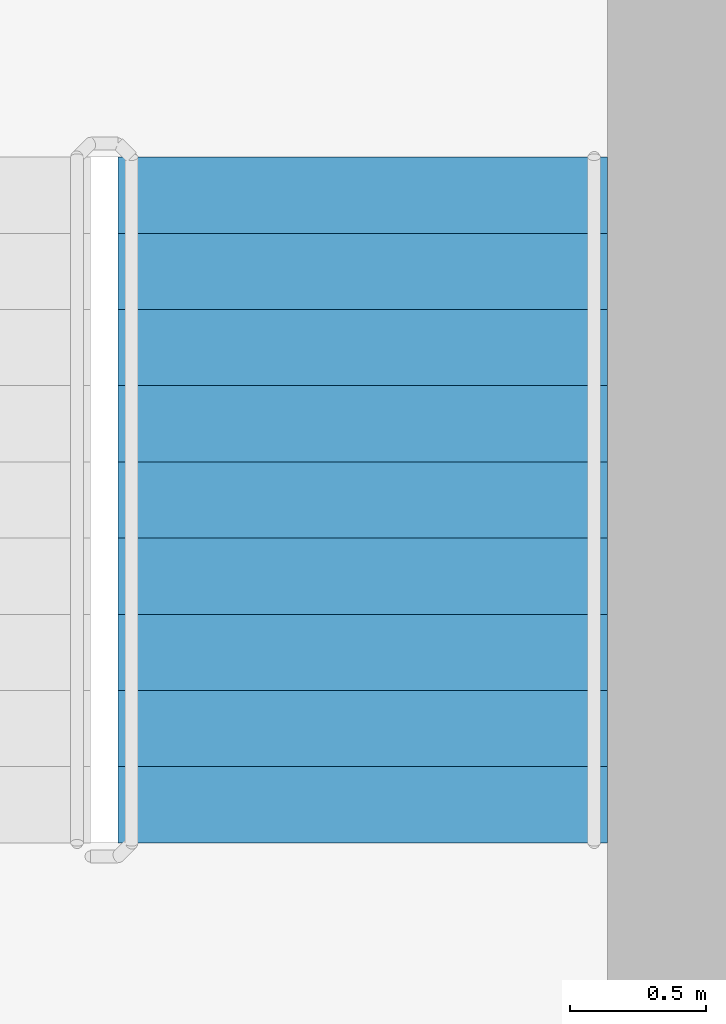
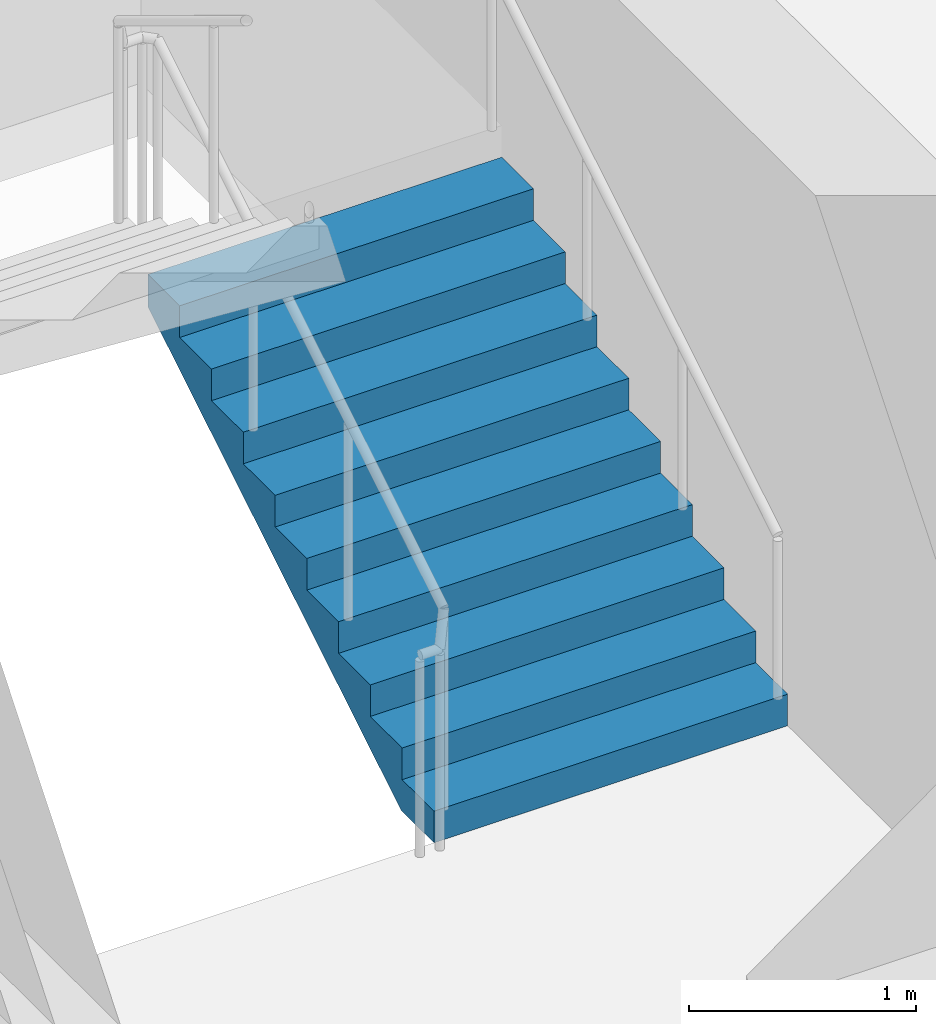
# One storey, part 11 of 14: 1 stair flight, 1 element without a shape of its own.
"""IFC4 building model written with IfcOpenShell, lengths in metres."""

from ifc_helpers import new_model, si_unit, direction, frame, origin, place, context, subcontext, project, spatial, triangles, source, transform, mapped, material, type_object, element, aggregate, save


model = new_model("IFC4")

# Units and contexts
model_context = context("Model", 3, precision=1e-05, world=origin(), true_north=direction((0.0, 1.0)))
body_context = subcontext(model_context, "Body", "Model", "MODEL_VIEW")
ifc_project = project(units=[si_unit("LENGTHUNIT", "METRE"), si_unit("AREAUNIT", "SQUARE_METRE"), si_unit("VOLUMEUNIT", "CUBIC_METRE"), si_unit("PLANEANGLEUNIT", "RADIAN"), si_unit("MASSUNIT", "GRAM", prefix="KILO")], contexts=[model_context])

# Site, building, storey
site_placement = place(None, origin())
site = spatial("IfcSite", under=ifc_project, at=site_placement, CompositionType="ELEMENT")
building_placement = place(site_placement, origin())
building = spatial("IfcBuilding", under=site, at=building_placement, Name="Kilnfold Tower and Market Hall", CompositionType="ELEMENT")
storey_placement = place(building_placement, frame((0.0, 0.0, 315.39990234375)))
storey = spatial("IfcBuildingStorey", under=building, at=storey_placement, Name="L79", CompositionType="ELEMENT", Elevation=315.39990234375)

# Stair, stair flight
ifc_material_1 = material(Name="Concrete C40/50", Category="concrete")
stair_type = type_object("IfcStairType", Name="CORE STAIR 1800", PredefinedType="HALF_TURN_STAIR", material=ifc_material_1)
stair_placement = place(storey_placement, origin())
stair = element("IfcStair", 1, at=stair_placement, inside=storey, type_object=stair_type, Name="L79 ST2", PredefinedType="HALF_TURN_STAIR")
ifc_material_2 = material(Name="Concrete C40/50", Category="concrete")
stair_flight_type = type_object("IfcStairFlightType", Name="CORE STAIR FLIGHT 1800", PredefinedType="STRAIGHT", material=ifc_material_2)
shared_shape = source(origin(), body_context, "Body", "Tessellation", [
    triangles([(0.0, 0.89990234375, 0.0), (0.0, 0.78759765625, 0.0), (0.0, 0.675048828125, 0.0), (0.0, 0.5625, 0.0), (0.0, 0.449951171875, 0.0), (0.0, 0.33740234375, 0.0), (0.0, 0.22509765625, 0.0), (0.0, 0.112548828125, 0.0), (0.0, 0.0, 0.0), (0.0, -0.112548828125, 0.0), (0.0, -0.22509765625, 0.0), (0.0, -0.33740234375, 0.0), (0.0, -0.449951171875, 0.0), (0.0, -0.5625, 0.0), (0.0, -0.675048828125, 0.0), (0.0, -0.78759765625, 0.0), (0.0, -0.89990234375, 0.0), (0.0, 0.89990234375, 0.169921875), (0.0, 0.78759765625, 0.169921875), (0.0, 0.675048828125, 0.169921875), (0.0, 0.5625, 0.169921875), (0.0, 0.449951171875, 0.169921875), (0.0, 0.33740234375, 0.169921875), (0.0, 0.22509765625, 0.169921875), (0.0, 0.112548828125, 0.169921875), (0.0, 0.0, 0.169921875), (0.0, -0.112548828125, 0.169921875), (0.0, -0.22509765625, 0.169921875), (0.0, -0.33740234375, 0.169921875), (0.0, -0.449951171875, 0.169921875), (0.0, -0.5625, 0.169921875), (0.0, -0.675048828125, 0.169921875), (0.0, -0.78759765625, 0.169921875), (0.0, -0.89990234375, 0.169921875), (0.280029296875, 0.89990234375, 0.169921875), (0.280029296875, 0.78759765625, 0.169921875), (0.280029296875, 0.675048828125, 0.169921875), (0.280029296875, 0.5625, 0.169921875), (0.280029296875, 0.449951171875, 0.169921875), (0.280029296875, 0.33740234375, 0.169921875), (0.280029296875, 0.22509765625, 0.169921875), (0.280029296875, 0.112548828125, 0.169921875), (0.280029296875, 0.0, 0.169921875), (0.280029296875, -0.112548828125, 0.169921875), (0.280029296875, -0.22509765625, 0.169921875), (0.280029296875, -0.33740234375, 0.169921875), (0.280029296875, -0.449951171875, 0.169921875), (0.280029296875, -0.5625, 0.169921875), (0.280029296875, -0.675048828125, 0.169921875), (0.280029296875, -0.78759765625, 0.169921875), (0.280029296875, -0.89990234375, 0.169921875), (0.280029296875, 0.89990234375, 0.340087890625), (0.280029296875, 0.78759765625, 0.340087890625), (0.280029296875, 0.675048828125, 0.340087890625), (0.280029296875, 0.5625, 0.340087890625), (0.280029296875, 0.449951171875, 0.340087890625), (0.280029296875, 0.33740234375, 0.340087890625), (0.280029296875, 0.22509765625, 0.340087890625), (0.280029296875, 0.112548828125, 0.340087890625), (0.280029296875, 0.0, 0.340087890625), (0.280029296875, -0.112548828125, 0.340087890625), (0.280029296875, -0.22509765625, 0.340087890625), (0.280029296875, -0.33740234375, 0.340087890625), (0.280029296875, -0.449951171875, 0.340087890625), (0.280029296875, -0.5625, 0.340087890625), (0.280029296875, -0.675048828125, 0.340087890625), (0.280029296875, -0.78759765625, 0.340087890625), (0.280029296875, -0.89990234375, 0.340087890625), (0.56005859375, 0.89990234375, 0.340087890625), (0.56005859375, 0.78759765625, 0.340087890625), (0.56005859375, 0.675048828125, 0.340087890625), (0.56005859375, 0.5625, 0.340087890625), (0.56005859375, 0.449951171875, 0.340087890625), (0.56005859375, 0.33740234375, 0.340087890625), (0.56005859375, 0.22509765625, 0.340087890625), (0.56005859375, 0.112548828125, 0.340087890625), (0.56005859375, 0.0, 0.340087890625), (0.56005859375, -0.112548828125, 0.340087890625), (0.56005859375, -0.22509765625, 0.340087890625), (0.56005859375, -0.33740234375, 0.340087890625), (0.56005859375, -0.449951171875, 0.340087890625), (0.56005859375, -0.5625, 0.340087890625), (0.56005859375, -0.675048828125, 0.340087890625), (0.56005859375, -0.78759765625, 0.340087890625), (0.56005859375, -0.89990234375, 0.340087890625), (0.56005859375, 0.89990234375, 0.510009765625), (0.56005859375, 0.78759765625, 0.510009765625), (0.56005859375, 0.675048828125, 0.510009765625), (0.56005859375, 0.5625, 0.510009765625), (0.56005859375, 0.449951171875, 0.510009765625), (0.56005859375, 0.33740234375, 0.510009765625), (0.56005859375, 0.22509765625, 0.510009765625), (0.56005859375, 0.112548828125, 0.510009765625), (0.56005859375, 0.0, 0.510009765625), (0.56005859375, -0.112548828125, 0.510009765625), (0.56005859375, -0.22509765625, 0.510009765625), (0.56005859375, -0.33740234375, 0.510009765625), (0.56005859375, -0.449951171875, 0.510009765625), (0.56005859375, -0.5625, 0.510009765625), (0.56005859375, -0.675048828125, 0.510009765625), (0.56005859375, -0.78759765625, 0.510009765625), (0.56005859375, -0.89990234375, 0.510009765625), (0.840087890625, 0.89990234375, 0.510009765625), (0.840087890625, 0.78759765625, 0.510009765625), (0.840087890625, 0.675048828125, 0.510009765625), (0.840087890625, 0.5625, 0.510009765625), (0.840087890625, 0.449951171875, 0.510009765625), (0.840087890625, 0.33740234375, 0.510009765625), (0.840087890625, 0.22509765625, 0.510009765625), (0.840087890625, 0.112548828125, 0.510009765625), (0.840087890625, 0.0, 0.510009765625), (0.840087890625, -0.112548828125, 0.510009765625), (0.840087890625, -0.22509765625, 0.510009765625), (0.840087890625, -0.33740234375, 0.510009765625), (0.840087890625, -0.449951171875, 0.510009765625), (0.840087890625, -0.5625, 0.510009765625), (0.840087890625, -0.675048828125, 0.510009765625), (0.840087890625, -0.78759765625, 0.510009765625), (0.840087890625, -0.89990234375, 0.510009765625), (0.840087890625, 0.89990234375, 0.679931640625), (0.840087890625, 0.78759765625, 0.679931640625), (0.840087890625, 0.675048828125, 0.679931640625), (0.840087890625, 0.5625, 0.679931640625), (0.840087890625, 0.449951171875, 0.679931640625), (0.840087890625, 0.33740234375, 0.679931640625), (0.840087890625, 0.22509765625, 0.679931640625), (0.840087890625, 0.112548828125, 0.679931640625), (0.840087890625, 0.0, 0.679931640625), (0.840087890625, -0.112548828125, 0.679931640625), (0.840087890625, -0.22509765625, 0.679931640625), (0.840087890625, -0.33740234375, 0.679931640625), (0.840087890625, -0.449951171875, 0.679931640625), (0.840087890625, -0.5625, 0.679931640625), (0.840087890625, -0.675048828125, 0.679931640625), (0.840087890625, -0.78759765625, 0.679931640625), (0.840087890625, -0.89990234375, 0.679931640625), (1.1201171875, 0.89990234375, 0.679931640625), (1.1201171875, 0.78759765625, 0.679931640625), (1.1201171875, 0.675048828125, 0.679931640625), (1.1201171875, 0.5625, 0.679931640625), (1.1201171875, 0.449951171875, 0.679931640625), (1.1201171875, 0.33740234375, 0.679931640625), (1.1201171875, 0.22509765625, 0.679931640625), (1.1201171875, 0.112548828125, 0.679931640625), (1.1201171875, 0.0, 0.679931640625), (1.1201171875, -0.112548828125, 0.679931640625), (1.1201171875, -0.22509765625, 0.679931640625), (1.1201171875, -0.33740234375, 0.679931640625), (1.1201171875, -0.449951171875, 0.679931640625), (1.1201171875, -0.5625, 0.679931640625), (1.1201171875, -0.675048828125, 0.679931640625), (1.1201171875, -0.78759765625, 0.679931640625), (1.1201171875, -0.89990234375, 0.679931640625), (1.1201171875, 0.89990234375, 0.85009765625), (1.1201171875, 0.78759765625, 0.85009765625), (1.1201171875, 0.675048828125, 0.85009765625), (1.1201171875, 0.5625, 0.85009765625), (1.1201171875, 0.449951171875, 0.85009765625), (1.1201171875, 0.33740234375, 0.85009765625), (1.1201171875, 0.22509765625, 0.85009765625), (1.1201171875, 0.112548828125, 0.85009765625), (1.1201171875, 0.0, 0.85009765625), (1.1201171875, -0.112548828125, 0.85009765625), (1.1201171875, -0.22509765625, 0.85009765625), (1.1201171875, -0.33740234375, 0.85009765625), (1.1201171875, -0.449951171875, 0.85009765625), (1.1201171875, -0.5625, 0.85009765625), (1.1201171875, -0.675048828125, 0.85009765625), (1.1201171875, -0.78759765625, 0.85009765625), (1.1201171875, -0.89990234375, 0.85009765625), (1.39990234375, 0.89990234375, 0.85009765625), (1.39990234375, 0.78759765625, 0.85009765625), (1.39990234375, 0.675048828125, 0.85009765625), (1.39990234375, 0.5625, 0.85009765625), (1.39990234375, 0.449951171875, 0.85009765625), (1.39990234375, 0.33740234375, 0.85009765625), (1.39990234375, 0.22509765625, 0.85009765625), (1.39990234375, 0.112548828125, 0.85009765625), (1.39990234375, 0.0, 0.85009765625), (1.39990234375, -0.112548828125, 0.85009765625), (1.39990234375, -0.22509765625, 0.85009765625), (1.39990234375, -0.33740234375, 0.85009765625), (1.39990234375, -0.449951171875, 0.85009765625), (1.39990234375, -0.5625, 0.85009765625), (1.39990234375, -0.675048828125, 0.85009765625), (1.39990234375, -0.78759765625, 0.85009765625), (1.39990234375, -0.89990234375, 0.85009765625), (1.39990234375, 0.89990234375, 1.02001953125), (1.39990234375, 0.78759765625, 1.02001953125), (1.39990234375, 0.675048828125, 1.02001953125), (1.39990234375, 0.5625, 1.02001953125), (1.39990234375, 0.449951171875, 1.02001953125), (1.39990234375, 0.33740234375, 1.02001953125), (1.39990234375, 0.22509765625, 1.02001953125), (1.39990234375, 0.112548828125, 1.02001953125), (1.39990234375, 0.0, 1.02001953125), (1.39990234375, -0.112548828125, 1.02001953125), (1.39990234375, -0.22509765625, 1.02001953125), (1.39990234375, -0.33740234375, 1.02001953125), (1.39990234375, -0.449951171875, 1.02001953125), (1.39990234375, -0.5625, 1.02001953125), (1.39990234375, -0.675048828125, 1.02001953125), (1.39990234375, -0.78759765625, 1.02001953125), (1.39990234375, -0.89990234375, 1.02001953125), (1.679931640625, 0.89990234375, 1.02001953125), (1.679931640625, 0.78759765625, 1.02001953125), (1.679931640625, 0.675048828125, 1.02001953125), (1.679931640625, 0.5625, 1.02001953125), (1.679931640625, 0.449951171875, 1.02001953125), (1.679931640625, 0.33740234375, 1.02001953125), (1.679931640625, 0.22509765625, 1.02001953125), (1.679931640625, 0.112548828125, 1.02001953125), (1.679931640625, 0.0, 1.02001953125), (1.679931640625, -0.112548828125, 1.02001953125), (1.679931640625, -0.22509765625, 1.02001953125), (1.679931640625, -0.33740234375, 1.02001953125), (1.679931640625, -0.449951171875, 1.02001953125), (1.679931640625, -0.5625, 1.02001953125), (1.679931640625, -0.675048828125, 1.02001953125), (1.679931640625, -0.78759765625, 1.02001953125), (1.679931640625, -0.89990234375, 1.02001953125), (1.679931640625, 0.89990234375, 1.18994140625), (1.679931640625, 0.78759765625, 1.18994140625), (1.679931640625, 0.675048828125, 1.18994140625), (1.679931640625, 0.5625, 1.18994140625), (1.679931640625, 0.449951171875, 1.18994140625), (1.679931640625, 0.33740234375, 1.18994140625), (1.679931640625, 0.22509765625, 1.18994140625), (1.679931640625, 0.112548828125, 1.18994140625), (1.679931640625, 0.0, 1.18994140625), (1.679931640625, -0.112548828125, 1.18994140625), (1.679931640625, -0.22509765625, 1.18994140625), (1.679931640625, -0.33740234375, 1.18994140625), (1.679931640625, -0.449951171875, 1.18994140625), (1.679931640625, -0.5625, 1.18994140625), (1.679931640625, -0.675048828125, 1.18994140625), (1.679931640625, -0.78759765625, 1.18994140625), (1.679931640625, -0.89990234375, 1.18994140625), (1.9599609375, 0.89990234375, 1.18994140625), (1.9599609375, 0.78759765625, 1.18994140625), (1.9599609375, 0.675048828125, 1.18994140625), (1.9599609375, 0.5625, 1.18994140625), (1.9599609375, 0.449951171875, 1.18994140625), (1.9599609375, 0.33740234375, 1.18994140625), (1.9599609375, 0.22509765625, 1.18994140625), (1.9599609375, 0.112548828125, 1.18994140625), (1.9599609375, 0.0, 1.18994140625), (1.9599609375, -0.112548828125, 1.18994140625), (1.9599609375, -0.22509765625, 1.18994140625), (1.9599609375, -0.33740234375, 1.18994140625), (1.9599609375, -0.449951171875, 1.18994140625), (1.9599609375, -0.5625, 1.18994140625), (1.9599609375, -0.675048828125, 1.18994140625), (1.9599609375, -0.78759765625, 1.18994140625), (1.9599609375, -0.89990234375, 1.18994140625), (1.9599609375, 0.89990234375, 1.360107421875), (1.9599609375, 0.78759765625, 1.360107421875), (1.9599609375, 0.675048828125, 1.360107421875), (1.9599609375, 0.5625, 1.360107421875), (1.9599609375, 0.449951171875, 1.360107421875), (1.9599609375, 0.33740234375, 1.360107421875), (1.9599609375, 0.22509765625, 1.360107421875), (1.9599609375, 0.112548828125, 1.360107421875), (1.9599609375, 0.0, 1.360107421875), (1.9599609375, -0.112548828125, 1.360107421875), (1.9599609375, -0.22509765625, 1.360107421875), (1.9599609375, -0.33740234375, 1.360107421875), (1.9599609375, -0.449951171875, 1.360107421875), (1.9599609375, -0.5625, 1.360107421875), (1.9599609375, -0.675048828125, 1.360107421875), (1.9599609375, -0.78759765625, 1.360107421875), (1.9599609375, -0.89990234375, 1.360107421875), (2.239990234375, 0.89990234375, 1.360107421875), (2.239990234375, 0.78759765625, 1.360107421875), (2.239990234375, 0.675048828125, 1.360107421875), (2.239990234375, 0.5625, 1.360107421875), (2.239990234375, 0.449951171875, 1.360107421875), (2.239990234375, 0.33740234375, 1.360107421875), (2.239990234375, 0.22509765625, 1.360107421875), (2.239990234375, 0.112548828125, 1.360107421875), (2.239990234375, 0.0, 1.360107421875), (2.239990234375, -0.112548828125, 1.360107421875), (2.239990234375, -0.22509765625, 1.360107421875), (2.239990234375, -0.33740234375, 1.360107421875), (2.239990234375, -0.449951171875, 1.360107421875), (2.239990234375, -0.5625, 1.360107421875), (2.239990234375, -0.675048828125, 1.360107421875), (2.239990234375, -0.78759765625, 1.360107421875), (2.239990234375, -0.89990234375, 1.360107421875), (2.239990234375, 0.89990234375, 1.530029296875), (2.239990234375, 0.78759765625, 1.530029296875), (2.239990234375, 0.675048828125, 1.530029296875), (2.239990234375, 0.5625, 1.530029296875), (2.239990234375, 0.449951171875, 1.530029296875), (2.239990234375, 0.33740234375, 1.530029296875), (2.239990234375, 0.22509765625, 1.530029296875), (2.239990234375, 0.112548828125, 1.530029296875), (2.239990234375, 0.0, 1.530029296875), (2.239990234375, -0.112548828125, 1.530029296875), (2.239990234375, -0.22509765625, 1.530029296875), (2.239990234375, -0.33740234375, 1.530029296875), (2.239990234375, -0.449951171875, 1.530029296875), (2.239990234375, -0.5625, 1.530029296875), (2.239990234375, -0.675048828125, 1.530029296875), (2.239990234375, -0.78759765625, 1.530029296875), (2.239990234375, -0.89990234375, 1.530029296875), (2.52001953125, 0.89990234375, 1.530029296875), (2.52001953125, 0.78759765625, 1.530029296875), (2.52001953125, 0.675048828125, 1.530029296875), (2.52001953125, 0.5625, 1.530029296875), (2.52001953125, 0.449951171875, 1.530029296875), (2.52001953125, 0.33740234375, 1.530029296875), (2.52001953125, 0.22509765625, 1.530029296875), (2.52001953125, 0.112548828125, 1.530029296875), (2.52001953125, 0.0, 1.530029296875), (2.52001953125, -0.112548828125, 1.530029296875), (2.52001953125, -0.22509765625, 1.530029296875), (2.52001953125, -0.33740234375, 1.530029296875), (2.52001953125, -0.449951171875, 1.530029296875), (2.52001953125, -0.5625, 1.530029296875), (2.52001953125, -0.675048828125, 1.530029296875), (2.52001953125, -0.78759765625, 1.530029296875), (2.52001953125, -0.89990234375, 1.530029296875), (2.52001953125, 0.89990234375, 1.354736328125), (2.52001953125, 0.78759765625, 1.354736328125), (2.52001953125, 0.675048828125, 1.354736328125), (2.52001953125, 0.5625, 1.354736328125), (2.52001953125, 0.449951171875, 1.354736328125), (2.52001953125, 0.33740234375, 1.354736328125), (2.52001953125, 0.22509765625, 1.354736328125), (2.52001953125, 0.112548828125, 1.354736328125), (2.52001953125, 0.0, 1.354736328125), (2.52001953125, -0.112548828125, 1.354736328125), (2.52001953125, -0.22509765625, 1.354736328125), (2.52001953125, -0.33740234375, 1.354736328125), (2.52001953125, -0.449951171875, 1.354736328125), (2.52001953125, -0.5625, 1.354736328125), (2.52001953125, -0.675048828125, 1.354736328125), (2.52001953125, -0.78759765625, 1.354736328125), (2.52001953125, -0.89990234375, 1.354736328125), (0.288818359375, 0.89990234375, 0.0), (0.288818359375, 0.78759765625, 0.0), (0.288818359375, 0.675048828125, 0.0), (0.288818359375, 0.5625, 0.0), (0.288818359375, 0.449951171875, 0.0), (0.288818359375, 0.33740234375, 0.0), (0.288818359375, 0.22509765625, 0.0), (0.288818359375, 0.112548828125, 0.0), (0.288818359375, 0.0, 0.0), (0.288818359375, -0.112548828125, 0.0), (0.288818359375, -0.22509765625, 0.0), (0.288818359375, -0.33740234375, 0.0), (0.288818359375, -0.449951171875, 0.0), (0.288818359375, -0.5625, 0.0), (0.288818359375, -0.675048828125, 0.0), (0.288818359375, -0.78759765625, 0.0), (0.288818359375, -0.89990234375, 0.0)], [[1, 324, 341], [17, 357, 340], [324, 290, 307], [340, 323, 306], [324, 273, 290], [340, 306, 289], [324, 256, 273], [340, 289, 272], [324, 239, 256], [340, 272, 255], [239, 205, 222], [255, 238, 221], [324, 205, 239], [340, 255, 221], [205, 171, 188], [221, 204, 187], [324, 171, 205], [340, 221, 187], [171, 137, 154], [187, 170, 153], [324, 137, 171], [340, 187, 153], [137, 103, 120], [153, 136, 119], [324, 103, 137], [340, 153, 119], [103, 69, 86], [119, 102, 85], [324, 69, 103], [340, 119, 85], [69, 35, 52], [85, 68, 51], [324, 35, 69], [340, 85, 51], [1, 35, 324], [17, 340, 51], [35, 1, 18], [51, 34, 17], [1, 19, 18], [1, 2, 19], [2, 20, 19], [2, 3, 20], [3, 21, 20], [3, 4, 21], [4, 22, 21], [4, 5, 22], [5, 23, 22], [5, 6, 23], [6, 24, 23], [6, 7, 24], [7, 25, 24], [7, 8, 25], [8, 26, 25], [8, 9, 26], [9, 27, 26], [9, 10, 27], [10, 28, 27], [10, 11, 28], [11, 29, 28], [11, 12, 29], [12, 30, 29], [12, 13, 30], [13, 31, 30], [13, 14, 31], [14, 32, 31], [14, 15, 32], [15, 33, 32], [15, 16, 33], [16, 34, 33], [16, 17, 34], [18, 36, 35], [18, 19, 36], [19, 37, 36], [19, 20, 37], [20, 38, 37], [20, 21, 38], [21, 39, 38], [21, 22, 39], [22, 40, 39], [22, 23, 40], [23, 41, 40], [23, 24, 41], [24, 42, 41], [24, 25, 42], [25, 43, 42], [25, 26, 43], [26, 44, 43], [26, 27, 44], [27, 45, 44], [27, 28, 45], [28, 46, 45], [28, 29, 46], [29, 47, 46], [29, 30, 47], [30, 48, 47], [30, 31, 48], [31, 49, 48], [31, 32, 49], [32, 50, 49], [32, 33, 50], [33, 51, 50], [33, 34, 51], [35, 53, 52], [35, 36, 53], [36, 54, 53], [36, 37, 54], [37, 55, 54], [37, 38, 55], [38, 56, 55], [38, 39, 56], [39, 57, 56], [39, 40, 57], [40, 58, 57], [40, 41, 58], [41, 59, 58], [41, 42, 59], [42, 60, 59], [42, 43, 60], [43, 61, 60], [43, 44, 61], [44, 62, 61], [44, 45, 62], [45, 63, 62], [45, 46, 63], [46, 64, 63], [46, 47, 64], [47, 65, 64], [47, 48, 65], [48, 66, 65], [48, 49, 66], [49, 67, 66], [49, 50, 67], [50, 68, 67], [50, 51, 68], [52, 70, 69], [52, 53, 70], [53, 71, 70], [53, 54, 71], [54, 72, 71], [54, 55, 72], [55, 73, 72], [55, 56, 73], [56, 74, 73], [56, 57, 74], [57, 75, 74], [57, 58, 75], [58, 76, 75], [58, 59, 76], [59, 77, 76], [59, 60, 77], [60, 78, 77], [60, 61, 78], [61, 79, 78], [61, 62, 79], [62, 80, 79], [62, 63, 80], [63, 81, 80], [63, 64, 81], [64, 82, 81], [64, 65, 82], [65, 83, 82], [65, 66, 83], [66, 84, 83], [66, 67, 84], [67, 85, 84], [67, 68, 85], [69, 87, 86], [69, 70, 87], [70, 88, 87], [70, 71, 88], [71, 89, 88], [71, 72, 89], [72, 90, 89], [72, 73, 90], [73, 91, 90], [73, 74, 91], [74, 92, 91], [74, 75, 92], [75, 93, 92], [75, 76, 93], [76, 94, 93], [76, 77, 94], [77, 95, 94], [77, 78, 95], [78, 96, 95], [78, 79, 96], [79, 97, 96], [79, 80, 97], [80, 98, 97], [80, 81, 98], [81, 99, 98], [81, 82, 99], [82, 100, 99], [82, 83, 100], [83, 101, 100], [83, 84, 101], [84, 102, 101], [84, 85, 102], [86, 104, 103], [86, 87, 104], [87, 105, 104], [87, 88, 105], [88, 106, 105], [88, 89, 106], [89, 107, 106], [89, 90, 107], [90, 108, 107], [90, 91, 108], [91, 109, 108], [91, 92, 109], [92, 110, 109], [92, 93, 110], [93, 111, 110], [93, 94, 111], [94, 112, 111], [94, 95, 112], [95, 113, 112], [95, 96, 113], [96, 114, 113], [96, 97, 114], [97, 115, 114], [97, 98, 115], [98, 116, 115], [98, 99, 116], [99, 117, 116], [99, 100, 117], [100, 118, 117], [100, 101, 118], [101, 119, 118], [101, 102, 119], [103, 121, 120], [103, 104, 121], [104, 122, 121], [104, 105, 122], [105, 123, 122], [105, 106, 123], [106, 124, 123], [106, 107, 124], [107, 125, 124], [107, 108, 125], [108, 126, 125], [108, 109, 126], [109, 127, 126], [109, 110, 127], [110, 128, 127], [110, 111, 128], [111, 129, 128], [111, 112, 129], [112, 130, 129], [112, 113, 130], [113, 131, 130], [113, 114, 131], [114, 132, 131], [114, 115, 132], [115, 133, 132], [115, 116, 133], [116, 134, 133], [116, 117, 134], [117, 135, 134], [117, 118, 135], [118, 136, 135], [118, 119, 136], [120, 138, 137], [120, 121, 138], [121, 139, 138], [121, 122, 139], [122, 140, 139], [122, 123, 140], [123, 141, 140], [123, 124, 141], [124, 142, 141], [124, 125, 142], [125, 143, 142], [125, 126, 143], [126, 144, 143], [126, 127, 144], [127, 145, 144], [127, 128, 145], [128, 146, 145], [128, 129, 146], [129, 147, 146], [129, 130, 147], [130, 148, 147], [130, 131, 148], [131, 149, 148], [131, 132, 149], [132, 150, 149], [132, 133, 150], [133, 151, 150], [133, 134, 151], [134, 152, 151], [134, 135, 152], [135, 153, 152], [135, 136, 153], [137, 155, 154], [137, 138, 155], [138, 156, 155], [138, 139, 156], [139, 157, 156], [139, 140, 157], [140, 158, 157], [140, 141, 158], [141, 159, 158], [141, 142, 159], [142, 160, 159], [142, 143, 160], [143, 161, 160], [143, 144, 161], [144, 162, 161], [144, 145, 162], [145, 163, 162], [145, 146, 163], [146, 164, 163], [146, 147, 164], [147, 165, 164], [147, 148, 165], [148, 166, 165], [148, 149, 166], [149, 167, 166], [149, 150, 167], [150, 168, 167], [150, 151, 168], [151, 169, 168], [151, 152, 169], [152, 170, 169], [152, 153, 170], [154, 172, 171], [154, 155, 172], [155, 173, 172], [155, 156, 173], [156, 174, 173], [156, 157, 174], [157, 175, 174], [157, 158, 175], [158, 176, 175], [158, 159, 176], [159, 177, 176], [159, 160, 177], [160, 178, 177], [160, 161, 178], [161, 179, 178], [161, 162, 179], [162, 180, 179], [162, 163, 180], [163, 181, 180], [163, 164, 181], [164, 182, 181], [164, 165, 182], [165, 183, 182], [165, 166, 183], [166, 184, 183], [166, 167, 184], [167, 185, 184], [167, 168, 185], [168, 186, 185], [168, 169, 186], [169, 187, 186], [169, 170, 187], [171, 189, 188], [171, 172, 189], [172, 190, 189], [172, 173, 190], [173, 191, 190], [173, 174, 191], [174, 192, 191], [174, 175, 192], [175, 193, 192], [175, 176, 193], [176, 194, 193], [176, 177, 194], [177, 195, 194], [177, 178, 195], [178, 196, 195], [178, 179, 196], [179, 197, 196], [179, 180, 197], [180, 198, 197], [180, 181, 198], [181, 199, 198], [181, 182, 199], [182, 200, 199], [182, 183, 200], [183, 201, 200], [183, 184, 201], [184, 202, 201], [184, 185, 202], [185, 203, 202], [185, 186, 203], [186, 204, 203], [186, 187, 204], [188, 206, 205], [188, 189, 206], [189, 207, 206], [189, 190, 207], [190, 208, 207], [190, 191, 208], [191, 209, 208], [191, 192, 209], [192, 210, 209], [192, 193, 210], [193, 211, 210], [193, 194, 211], [194, 212, 211], [194, 195, 212], [195, 213, 212], [195, 196, 213], [196, 214, 213], [196, 197, 214], [197, 215, 214], [197, 198, 215], [198, 216, 215], [198, 199, 216], [199, 217, 216], [199, 200, 217], [200, 218, 217], [200, 201, 218], [201, 219, 218], [201, 202, 219], [202, 220, 219], [202, 203, 220], [203, 221, 220], [203, 204, 221], [205, 223, 222], [205, 206, 223], [206, 224, 223], [206, 207, 224], [207, 225, 224], [207, 208, 225], [208, 226, 225], [208, 209, 226], [209, 227, 226], [209, 210, 227], [210, 228, 227], [210, 211, 228], [211, 229, 228], [211, 212, 229], [212, 230, 229], [212, 213, 230], [213, 231, 230], [213, 214, 231], [214, 232, 231], [214, 215, 232], [215, 233, 232], [215, 216, 233], [216, 234, 233], [216, 217, 234], [217, 235, 234], [217, 218, 235], [218, 236, 235], [218, 219, 236], [219, 237, 236], [219, 220, 237], [220, 238, 237], [220, 221, 238], [222, 240, 239], [222, 223, 240], [223, 241, 240], [223, 224, 241], [224, 242, 241], [224, 225, 242], [225, 243, 242], [225, 226, 243], [226, 244, 243], [226, 227, 244], [227, 245, 244], [227, 228, 245], [228, 246, 245], [228, 229, 246], [229, 247, 246], [229, 230, 247], [230, 248, 247], [230, 231, 248], [231, 249, 248], [231, 232, 249], [232, 250, 249], [232, 233, 250], [233, 251, 250], [233, 234, 251], [234, 252, 251], [234, 235, 252], [235, 253, 252], [235, 236, 253], [236, 254, 253], [236, 237, 254], [237, 255, 254], [237, 238, 255], [239, 257, 256], [239, 240, 257], [240, 258, 257], [240, 241, 258], [241, 259, 258], [241, 242, 259], [242, 260, 259], [242, 243, 260], [243, 261, 260], [243, 244, 261], [244, 262, 261], [244, 245, 262], [245, 263, 262], [245, 246, 263], [246, 264, 263], [246, 247, 264], [247, 265, 264], [247, 248, 265], [248, 266, 265], [248, 249, 266], [249, 267, 266], [249, 250, 267], [250, 268, 267], [250, 251, 268], [251, 269, 268], [251, 252, 269], [252, 270, 269], [252, 253, 270], [253, 271, 270], [253, 254, 271], [254, 272, 271], [254, 255, 272], [256, 274, 273], [256, 257, 274], [257, 275, 274], [257, 258, 275], [258, 276, 275], [258, 259, 276], [259, 277, 276], [259, 260, 277], [260, 278, 277], [260, 261, 278], [261, 279, 278], [261, 262, 279], [262, 280, 279], [262, 263, 280], [263, 281, 280], [263, 264, 281], [264, 282, 281], [264, 265, 282], [265, 283, 282], [265, 266, 283], [266, 284, 283], [266, 267, 284], [267, 285, 284], [267, 268, 285], [268, 286, 285], [268, 269, 286], [269, 287, 286], [269, 270, 287], [270, 288, 287], [270, 271, 288], [271, 289, 288], [271, 272, 289], [273, 291, 290], [273, 274, 291], [274, 292, 291], [274, 275, 292], [275, 293, 292], [275, 276, 293], [276, 294, 293], [276, 277, 294], [277, 295, 294], [277, 278, 295], [278, 296, 295], [278, 279, 296], [279, 297, 296], [279, 280, 297], [280, 298, 297], [280, 281, 298], [281, 299, 298], [281, 282, 299], [282, 300, 299], [282, 283, 300], [283, 301, 300], [283, 284, 301], [284, 302, 301], [284, 285, 302], [285, 303, 302], [285, 286, 303], [286, 304, 303], [286, 287, 304], [287, 305, 304], [287, 288, 305], [288, 306, 305], [288, 289, 306], [290, 308, 307], [290, 291, 308], [291, 309, 308], [291, 292, 309], [292, 310, 309], [292, 293, 310], [293, 311, 310], [293, 294, 311], [294, 312, 311], [294, 295, 312], [295, 313, 312], [295, 296, 313], [296, 314, 313], [296, 297, 314], [297, 315, 314], [297, 298, 315], [298, 316, 315], [298, 299, 316], [299, 317, 316], [299, 300, 317], [300, 318, 317], [300, 301, 318], [301, 319, 318], [301, 302, 319], [302, 320, 319], [302, 303, 320], [303, 321, 320], [303, 304, 321], [304, 322, 321], [304, 305, 322], [305, 323, 322], [305, 306, 323], [307, 325, 324], [307, 308, 325], [308, 326, 325], [308, 309, 326], [309, 327, 326], [309, 310, 327], [310, 328, 327], [310, 311, 328], [311, 329, 328], [311, 312, 329], [312, 330, 329], [312, 313, 330], [313, 331, 330], [313, 314, 331], [314, 332, 331], [314, 315, 332], [315, 333, 332], [315, 316, 333], [316, 334, 333], [316, 317, 334], [317, 335, 334], [317, 318, 335], [318, 336, 335], [318, 319, 336], [319, 337, 336], [319, 320, 337], [320, 338, 337], [320, 321, 338], [321, 339, 338], [321, 322, 339], [322, 340, 339], [322, 323, 340], [324, 342, 341], [324, 325, 342], [325, 343, 342], [325, 326, 343], [326, 344, 343], [326, 327, 344], [327, 345, 344], [327, 328, 345], [328, 346, 345], [328, 329, 346], [329, 347, 346], [329, 330, 347], [330, 348, 347], [330, 331, 348], [331, 349, 348], [331, 332, 349], [332, 350, 349], [332, 333, 350], [333, 351, 350], [333, 334, 351], [334, 352, 351], [334, 335, 352], [335, 353, 352], [335, 336, 353], [336, 354, 353], [336, 337, 354], [337, 355, 354], [337, 338, 355], [338, 356, 355], [338, 339, 356], [339, 357, 356], [339, 340, 357], [341, 2, 1], [341, 342, 2], [342, 3, 2], [342, 343, 3], [343, 4, 3], [343, 344, 4], [344, 5, 4], [344, 345, 5], [345, 6, 5], [345, 346, 6], [346, 7, 6], [346, 347, 7], [347, 8, 7], [347, 348, 8], [348, 9, 8], [348, 349, 9], [349, 10, 9], [349, 350, 10], [350, 11, 10], [350, 351, 11], [351, 12, 11], [351, 352, 12], [352, 13, 12], [352, 353, 13], [353, 14, 13], [353, 354, 14], [354, 15, 14], [354, 355, 15], [355, 16, 15], [355, 356, 16], [356, 17, 16], [356, 357, 17]], closed=True),
])
stair_flight_placement = place(storey_placement, frame((16.199951171875, 10.800048828125, 0.0), z_axis=(0.0, 0.0, 1.0), x_axis=(0.0, 1.0, 0.0)))
stair_flight = element("IfcStairFlight", 2, at=stair_flight_placement, type_object=stair_flight_type, Name="ST2 flight 1", NumberOfRisers=10, NumberOfTreads=9, PredefinedType="STRAIGHT", RiserHeight=0.17, TreadLength=0.28, context=body_context, shape_type="MappedRepresentation", body=[
    mapped(shared_shape, transform((0.0, 0.0, 0.0))),
])
aggregate(stair, [stair_flight])

save(model, "model.ifc")
